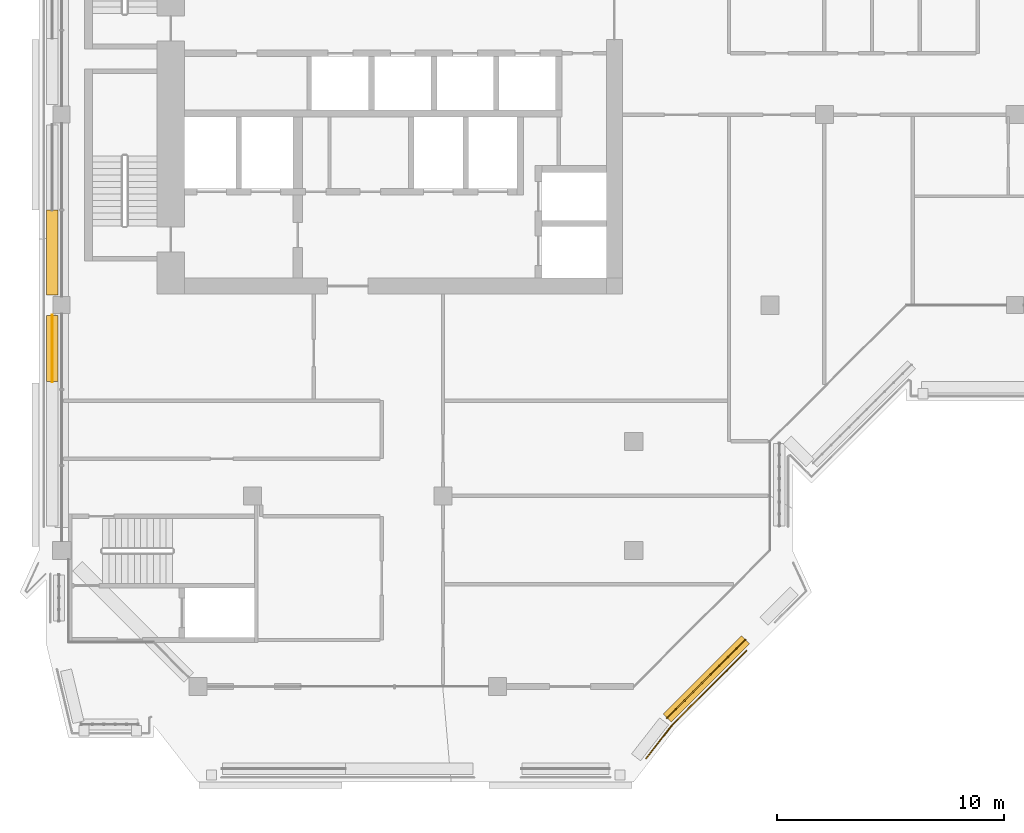
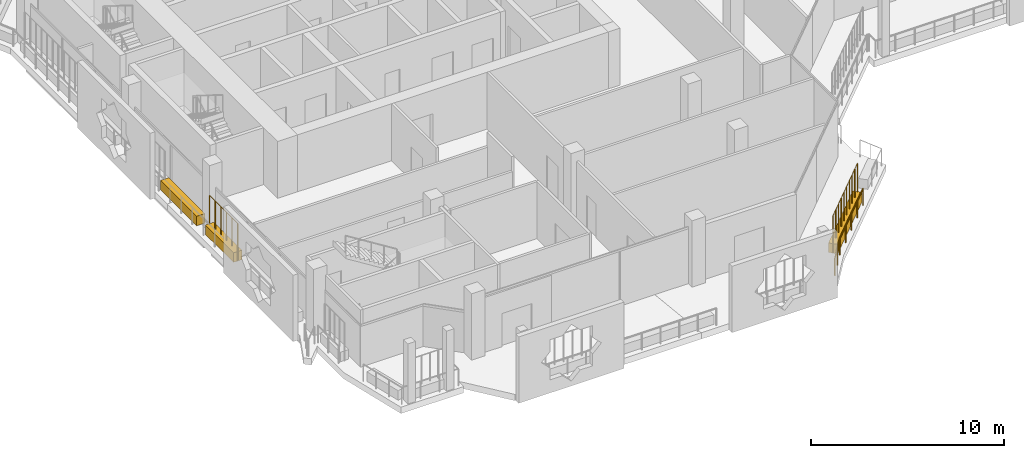
# One storey, part 16 of 22: 3 coverings, 3 railings.
"""IFC4 building model written with IfcOpenShell, lengths in metres."""

from ifc_helpers import new_model, si_unit, direction, frame, origin, origin_2d, place, context, subcontext, project, spatial, rectangle, circle, extrude, material, material_profile, profile_set, type_object, element, save


model = new_model("IFC4")

# Units and contexts
model_context = context("Model", 3, precision=1e-05, world=origin(), true_north=direction((0.0, 1.0)))
body_context = subcontext(model_context, "Body", "Model", "MODEL_VIEW")
ifc_project = project(units=[si_unit("LENGTHUNIT", "METRE"), si_unit("AREAUNIT", "SQUARE_METRE"), si_unit("VOLUMEUNIT", "CUBIC_METRE"), si_unit("PLANEANGLEUNIT", "RADIAN"), si_unit("MASSUNIT", "GRAM", prefix="KILO")], contexts=[model_context])

# Site, building, storey
site_placement = place(None, origin())
site = spatial("IfcSite", under=ifc_project, at=site_placement, CompositionType="ELEMENT")
building_placement = place(site_placement, origin())
building = spatial("IfcBuilding", under=site, at=building_placement, Name="Kawkab Arch Medical Tower", CompositionType="ELEMENT")
storey_placement = place(building_placement, frame((0.0, 0.0, 298.60009765625)))
storey = spatial("IfcBuildingStorey", under=building, at=storey_placement, Name="L69", CompositionType="ELEMENT", Elevation=298.60009765625)

# Railing
ifc_material_1 = material(Name="Bronze anodised aluminium guard", Category="aluminium")
railing_type_1 = type_object("IfcRailingType", Name="Loggia and terrace guard 1100", PredefinedType="GUARDRAIL", material=ifc_material_1)
railing_1_placement = place(storey_placement, frame((30.169921875, -40.423095703125, 0.0)))
element("IfcRailing", 1, at=railing_1_placement, inside=storey, type_object=railing_type_1, Name="Guard L69.LOG-01.1.6", PredefinedType="GUARDRAIL", context=body_context, shape_type="SweptSolid", body=[
    extrude(circle(Radius=0.02392578125, at=origin_2d()), frame((0.0, 0.0, 1.076171875), z_axis=(-0.707106781187, -0.707106781187, 0.0), x_axis=(0.707106781187, -0.707106781187, 0.0)), (0.0, 0.0, 1.0), 4.641357421875),
    extrude(circle(Radius=0.02392578125, at=origin_2d()), frame((-3.281982421875, -3.281982421875, 1.076171875), z_axis=(-0.614131825568, -0.789203459714, 0.0), x_axis=(0.789203459714, -0.614131825568, 0.0)), (0.0, 0.0, 1.0), 1.856201171875),
    extrude(circle(Radius=0.02099609375, at=origin_2d()), origin(), (0.0, 0.0, 1.0), 1.052001953125),
    extrude(circle(Radius=0.02099609375, at=origin_2d()), frame((-0.820556640625, -0.820556640625, 0.0)), (0.0, 0.0, 1.0), 1.052001953125),
    extrude(circle(Radius=0.02099609375, at=origin_2d()), frame((-1.64111328125, -1.64111328125, 0.0)), (0.0, 0.0, 1.0), 1.052001953125),
    extrude(circle(Radius=0.02099609375, at=origin_2d()), frame((-2.46142578125, -2.46142578125, 0.0)), (0.0, 0.0, 1.0), 1.052001953125),
    extrude(circle(Radius=0.02099609375, at=origin_2d()), frame((-3.281982421875, -3.281982421875, 0.0)), (0.0, 0.0, 1.0), 1.052001953125),
    extrude(circle(Radius=0.02099609375, at=origin_2d()), frame((-3.85205078125, -4.014404296875, 0.0)), (0.0, 0.0, 1.0), 1.052001953125),
    extrude(circle(Radius=0.02099609375, at=origin_2d()), frame((-4.421875, -4.746826171875, 0.0)), (0.0, 0.0, 1.0), 1.052001953125),
])

# Coverings
ifc_material_2 = material(Name="Planting soil in a precast trough", Category="concrete")
ifc_material_profile = material_profile(ifc_material_2, rectangle(XDim=0.5, YDim=0.60009765625, at=origin_2d()), Name="Trough 500x600")
ifc_profile_set = profile_set([ifc_material_profile], Name="Planting soil in a precast trough")
covering_type = type_object("IfcCoveringType", Name="Planter trough 500 x 600", PredefinedType="USERDEFINED", material=ifc_profile_set)
covering_1_placement = place(storey_placement, frame((-0.419921875, -28.56298828125, 0.2998046875), z_axis=(0.0, 1.0, 0.0), x_axis=(-1.0, 0.0, 0.0)))
element("IfcCovering", 2, at=covering_1_placement, inside=storey, type_object=covering_type, Name="Planter L69.LOG-01-01.5", ObjectType="PLANTER", PredefinedType="USERDEFINED", context=body_context, shape_type="SweptSolid", body=[
    extrude(rectangle(XDim=0.5, YDim=0.60009765625, at=origin_2d()), origin(), (0.0, 0.0, 1.0), 2.909912109375),
])
covering_2_placement = place(storey_placement, frame((-0.419921875, -24.7470703125, 0.2998046875), z_axis=(0.0, 1.0, 0.0), x_axis=(-1.0, 0.0, 0.0)))
element("IfcCovering", 3, at=covering_2_placement, inside=storey, type_object=covering_type, Name="Planter L69.LOG-01-01.6", ObjectType="PLANTER", PredefinedType="USERDEFINED", context=body_context, shape_type="SweptSolid", body=[
    extrude(rectangle(XDim=0.5, YDim=0.60009765625, at=origin_2d()), origin(), (0.0, 0.0, 1.0), 3.7470703125),
])
covering_3_placement = place(storey_placement, frame((30.1201171875, -39.93603515625, 0.2998046875), z_axis=(-0.707106781187, -0.707106781187, 0.0), x_axis=(0.707106781187, -0.707106781187, 0.0)))
element("IfcCovering", 4, at=covering_3_placement, inside=storey, type_object=covering_type, Name="Planter L69.LOG-01-01.33", ObjectType="PLANTER", PredefinedType="USERDEFINED", context=body_context, shape_type="SweptSolid", body=[
    extrude(rectangle(XDim=0.5, YDim=0.60009765625, at=origin_2d()), origin(), (0.0, 0.0, 1.0), 4.874755859375),
])

# Railings
ifc_material_3 = material(Name="Bronze anodised aluminium trellis for climbing plants", Category="aluminium")
railing_type_2 = type_object("IfcRailingType", Name="Planting trellis 2400", PredefinedType="USERDEFINED", material=ifc_material_3)
railing_2_placement = place(storey_placement, frame((-0.419921875, -28.56298828125, 0.0)))
element("IfcRailing", 5, at=railing_2_placement, inside=storey, type_object=railing_type_2, Name="Planting trellis L69.LOG-01-01.5", ObjectType="TRELLIS", PredefinedType="USERDEFINED", context=body_context, shape_type="SweptSolid", body=[
    extrude(circle(Radius=0.01513671875, at=origin_2d()), frame((0.0, 0.0, 2.384765625), z_axis=(0.0, 1.0, 0.0), x_axis=(-1.0, 0.0, 0.0)), (0.0, 0.0, 1.0), 2.909912109375),
    extrude(circle(Radius=0.030029296875, at=origin_2d()), origin(), (0.0, 0.0, 1.0), 2.369873046875),
    extrude(circle(Radius=0.030029296875, at=origin_2d()), frame((0.0, 0.58203125, 0.0)), (0.0, 0.0, 1.0), 2.369873046875),
    extrude(circle(Radius=0.030029296875, at=origin_2d()), frame((0.0, 1.1640625, 0.0)), (0.0, 0.0, 1.0), 2.369873046875),
    extrude(circle(Radius=0.030029296875, at=origin_2d()), frame((0.0, 1.745849609375, 0.0)), (0.0, 0.0, 1.0), 2.369873046875),
    extrude(circle(Radius=0.030029296875, at=origin_2d()), frame((0.0, 2.327880859375, 0.0)), (0.0, 0.0, 1.0), 2.369873046875),
    extrude(circle(Radius=0.030029296875, at=origin_2d()), frame((0.0, 2.909912109375, 0.0)), (0.0, 0.0, 1.0), 2.369873046875),
])
railing_3_placement = place(storey_placement, frame((30.1201171875, -39.93603515625, 0.0)))
element("IfcRailing", 6, at=railing_3_placement, inside=storey, type_object=railing_type_2, Name="Planting trellis L69.LOG-01-01.33", ObjectType="TRELLIS", PredefinedType="USERDEFINED", context=body_context, shape_type="SweptSolid", body=[
    extrude(circle(Radius=0.01513671875, at=origin_2d()), frame((0.0, 0.0, 2.384765625), z_axis=(-0.707106781187, -0.707106781187, 0.0), x_axis=(0.707106781187, -0.707106781187, 0.0)), (0.0, 0.0, 1.0), 4.874755859375),
    extrude(circle(Radius=0.030029296875, at=origin_2d()), origin(), (0.0, 0.0, 1.0), 2.369873046875),
    extrude(circle(Radius=0.030029296875, at=origin_2d()), frame((-0.383056640625, -0.383056640625, 0.0)), (0.0, 0.0, 1.0), 2.369873046875),
    extrude(circle(Radius=0.030029296875, at=origin_2d()), frame((-0.76611328125, -0.76611328125, 0.0)), (0.0, 0.0, 1.0), 2.369873046875),
    extrude(circle(Radius=0.030029296875, at=origin_2d()), frame((-1.14892578125, -1.14892578125, 0.0)), (0.0, 0.0, 1.0), 2.369873046875),
    extrude(circle(Radius=0.030029296875, at=origin_2d()), frame((-1.531982421875, -1.531982421875, 0.0)), (0.0, 0.0, 1.0), 2.369873046875),
    extrude(circle(Radius=0.030029296875, at=origin_2d()), frame((-1.9150390625, -1.9150390625, 0.0)), (0.0, 0.0, 1.0), 2.369873046875),
    extrude(circle(Radius=0.030029296875, at=origin_2d()), frame((-2.298095703125, -2.298095703125, 0.0)), (0.0, 0.0, 1.0), 2.369873046875),
    extrude(circle(Radius=0.030029296875, at=origin_2d()), frame((-2.680908203125, -2.680908203125, 0.0)), (0.0, 0.0, 1.0), 2.369873046875),
    extrude(circle(Radius=0.030029296875, at=origin_2d()), frame((-3.06396484375, -3.06396484375, 0.0)), (0.0, 0.0, 1.0), 2.369873046875),
    extrude(circle(Radius=0.030029296875, at=origin_2d()), frame((-3.447021484375, -3.447021484375, 0.0)), (0.0, 0.0, 1.0), 2.369873046875),
])

save(model, "model.ifc")
